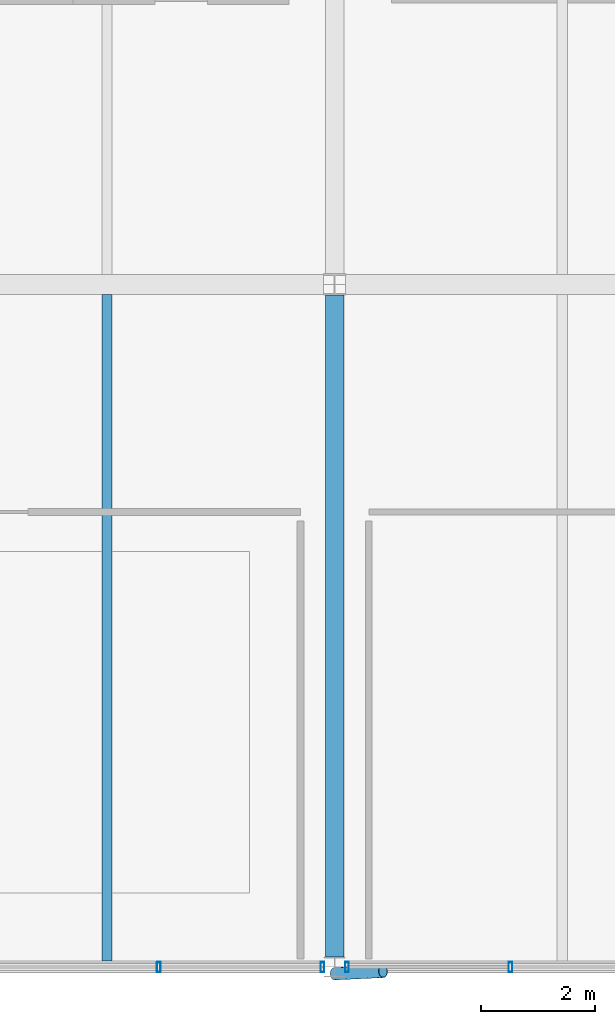
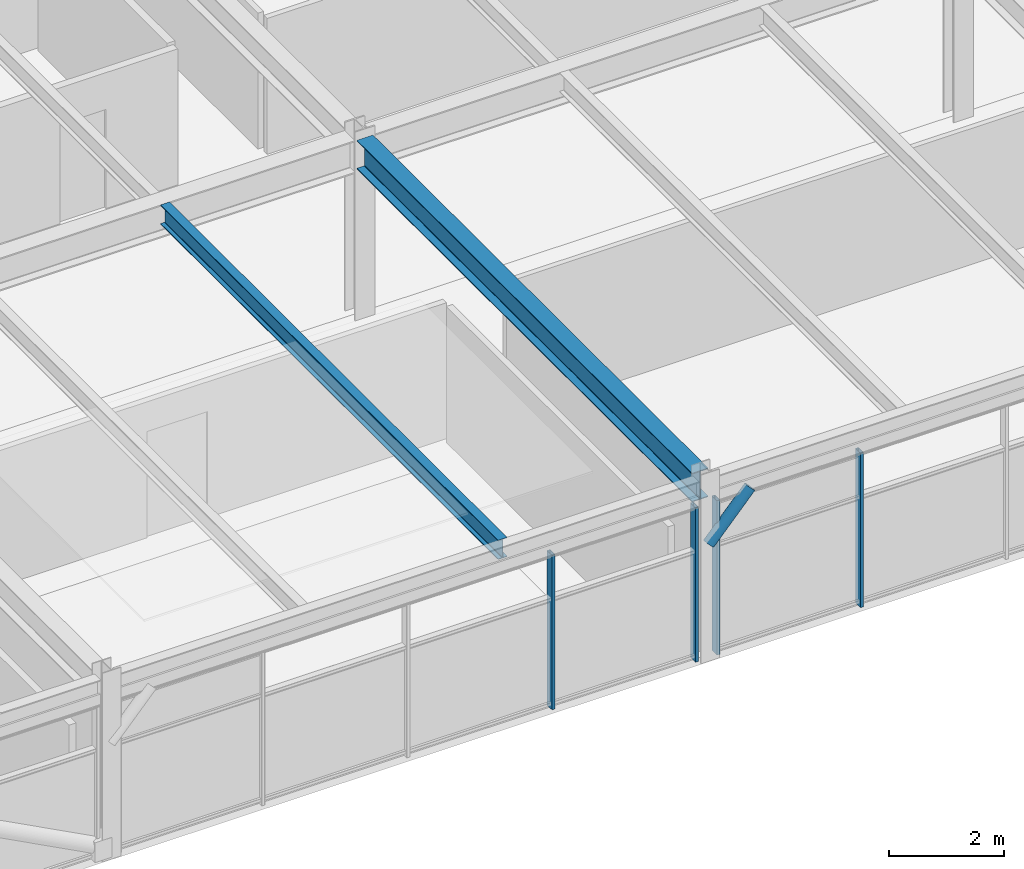
# One storey, part 13 of 40: 5 members, 2 beams, 2 elements without a shape of their own.
"""IFC4 building model written with IfcOpenShell, lengths in metres."""

from ifc_helpers import new_model, si_unit, direction, frame, origin, origin_2d, place, context, subcontext, project, spatial, hollow_rectangle, hollow_circle, i_section, extrude, material, material_profile, profile_set, type_object, element, aggregate, save


model = new_model("IFC4")

# Units and contexts
model_context = context("Model", 3, precision=1e-05, world=origin(), true_north=direction((0.0, 1.0)))
body_context = subcontext(model_context, "Body", "Model", "MODEL_VIEW")
ifc_project = project(units=[si_unit("LENGTHUNIT", "METRE"), si_unit("AREAUNIT", "SQUARE_METRE"), si_unit("VOLUMEUNIT", "CUBIC_METRE"), si_unit("PLANEANGLEUNIT", "RADIAN"), si_unit("MASSUNIT", "GRAM", prefix="KILO")], contexts=[model_context])

# Site, building, storey
site_placement = place(None, origin())
site = spatial("IfcSite", under=ifc_project, at=site_placement, CompositionType="ELEMENT")
building_placement = place(site_placement, origin())
building = spatial("IfcBuilding", under=site, at=building_placement, Name="Girod Span Mobility Hub", CompositionType="ELEMENT")
storey_placement = place(building_placement, frame((0.0, 0.0, 53.60009765625)))
storey = spatial("IfcBuildingStorey", under=building, at=storey_placement, Name="L13", CompositionType="ELEMENT", Elevation=53.60009765625)

# Beams
ifc_material_1 = material(Name="Steel A992 Grade 50", Category="steel")
ifc_material_profile_1 = material_profile(ifc_material_1, i_section(OverallWidth=0.178955078125, OverallDepth=0.409912109375, WebThickness=0.0087890625, FlangeThickness=0.014404296875, FilletRadius=0.012939453125, at=origin_2d()), Name="W16X45")
ifc_profile_set_1 = profile_set([ifc_material_profile_1], Name="Steel A992 Grade 50")
beam_type_1 = type_object("IfcBeamType", Name="BM-STL-W16X45", PredefinedType="BEAM", material=ifc_profile_set_1)
beam_1_placement = place(storey_placement, frame((68.0, 45.10302734375, 3.60986328125), z_axis=(0.0, 1.0, 0.0), x_axis=(-1.0, 0.0, 0.0)))
element("IfcBeam", 1, at=beam_1_placement, inside=storey, type_object=beam_type_1, Name="Composite Floorbeam 6/D-2 L13", PredefinedType="BEAM", context=body_context, shape_type="SweptSolid", body=[
    extrude(i_section(OverallWidth=0.178955078125, OverallDepth=0.409912109375, WebThickness=0.0087890625, FlangeThickness=0.014404296875, FilletRadius=0.012939453125, at=origin_2d()), origin(), (0.0, 0.0, 1.0), 11.722412109375),
])
ifc_material_2 = material(Name="Steel A992 Grade 50", Category="steel")
ifc_material_profile_2 = material_profile(ifc_material_2, i_section(OverallWidth=0.323974609375, OverallDepth=0.611083984375, WebThickness=0.0126953125, FlangeThickness=0.01904296875, FilletRadius=0.014892578125, at=origin_2d()), Name="W24X104")
ifc_profile_set_2 = profile_set([ifc_material_profile_2], Name="Steel A992 Grade 50")
beam_type_2 = type_object("IfcBeamType", Name="BM-STL-W24X104", PredefinedType="BEAM", material=ifc_profile_set_2)
beam_2_placement = place(storey_placement, frame((72.0, 45.175048828125, 3.509521484375), z_axis=(0.0, 1.0, 0.0), x_axis=(-1.0, 0.0, 0.0)))
element("IfcBeam", 2, at=beam_2_placement, inside=storey, type_object=beam_type_2, Name="Tie Girder 7/D-E L13", PredefinedType="BEAM", context=body_context, shape_type="SweptSolid", body=[
    extrude(i_section(OverallWidth=0.323974609375, OverallDepth=0.611083984375, WebThickness=0.0126953125, FlangeThickness=0.01904296875, FilletRadius=0.014892578125, at=origin_2d()), origin(), (0.0, 0.0, 1.0), 11.640380859375),
])

# Curtain wall, members
ifc_material_3 = material(Name="Thermally Broken Anodised Aluminium", Category="aluminium")
curtain_wall_type = type_object("IfcCurtainWallType", Name="CW-1164X327", PredefinedType="USERDEFINED", material=ifc_material_3)
curtain_wall_1_placement = place(storey_placement, origin())
curtain_wall_1 = element("IfcCurtainWall", 3, at=curtain_wall_1_placement, inside=storey, type_object=curtain_wall_type, Name="Unitised Curtain Wall CW-L13-S06 L13", ObjectType="UNITISED CURTAIN WALL", PredefinedType="USERDEFINED")
ifc_material_4 = material(Name="Thermally Broken Anodised Aluminium", Category="aluminium")
ifc_material_profile_3 = material_profile(ifc_material_4, hollow_rectangle(XDim=0.179931640625, YDim=0.06494140625, WallThickness=0.00390625, InnerFilletRadius=0.00390625, OuterFilletRadius=0.008056640625, at=origin_2d()), Name="CW-ML-65X180")
ifc_profile_set_3 = profile_set([ifc_material_profile_3], Name="Thermally Broken Anodised Aluminium")
member_type_1 = type_object("IfcMemberType", Name="CWM-ML-2", PredefinedType="MULLION", material=ifc_profile_set_3)
member_1_placement = place(storey_placement, frame((68.90869140625, 45.0, 0.0), z_axis=(0.0, 0.0, 1.0), x_axis=(0.0, 1.0, 0.0)))
member_1 = element("IfcMember", 4, at=member_1_placement, type_object=member_type_1, Name="Curtain Wall Mullion CW-L13-S06-M3", PredefinedType="MULLION", context=body_context, shape_type="SweptSolid", body=[
    extrude(hollow_rectangle(XDim=0.179931640625, YDim=0.06494140625, WallThickness=0.00390625, InnerFilletRadius=0.00390625, OuterFilletRadius=0.008056640625, at=origin_2d()), origin(), (0.0, 0.0, 1.0), 3.27099609375),
])
member_2_placement = place(storey_placement, frame((71.785400390625, 45.0, 0.0), z_axis=(0.0, 0.0, 1.0), x_axis=(0.0, 1.0, 0.0)))
member_2 = element("IfcMember", 5, at=member_2_placement, type_object=member_type_1, Name="Curtain Wall Mullion CW-L13-S06-M4", PredefinedType="MULLION", context=body_context, shape_type="SweptSolid", body=[
    extrude(hollow_rectangle(XDim=0.179931640625, YDim=0.06494140625, WallThickness=0.00390625, InnerFilletRadius=0.00390625, OuterFilletRadius=0.008056640625, at=origin_2d()), origin(), (0.0, 0.0, 1.0), 3.27099609375),
])
aggregate(curtain_wall_1, [member_1, member_2])

curtain_wall_2_placement = place(storey_placement, origin())
curtain_wall_2 = element("IfcCurtainWall", 6, at=curtain_wall_2_placement, inside=storey, type_object=curtain_wall_type, Name="Unitised Curtain Wall CW-L13-S07 L13", ObjectType="UNITISED CURTAIN WALL", PredefinedType="USERDEFINED")
member_3_placement = place(storey_placement, frame((72.214599609375, 45.0, 0.0), z_axis=(0.0, 0.0, 1.0), x_axis=(0.0, 1.0, 0.0)))
member_3 = element("IfcMember", 7, at=member_3_placement, type_object=member_type_1, Name="Curtain Wall Mullion CW-L13-S07-M0", PredefinedType="MULLION", context=body_context, shape_type="SweptSolid", body=[
    extrude(hollow_rectangle(XDim=0.179931640625, YDim=0.06494140625, WallThickness=0.00390625, InnerFilletRadius=0.00390625, OuterFilletRadius=0.008056640625, at=origin_2d()), origin(), (0.0, 0.0, 1.0), 3.27099609375),
])
member_4_placement = place(storey_placement, frame((75.09130859375, 45.0, 0.0), z_axis=(0.0, 0.0, 1.0), x_axis=(0.0, 1.0, 0.0)))
member_4 = element("IfcMember", 8, at=member_4_placement, type_object=member_type_1, Name="Curtain Wall Mullion CW-L13-S07-M1", PredefinedType="MULLION", context=body_context, shape_type="SweptSolid", body=[
    extrude(hollow_rectangle(XDim=0.179931640625, YDim=0.06494140625, WallThickness=0.00390625, InnerFilletRadius=0.00390625, OuterFilletRadius=0.008056640625, at=origin_2d()), origin(), (0.0, 0.0, 1.0), 3.27099609375),
])
aggregate(curtain_wall_2, [member_3, member_4])

# Member
ifc_material_5 = material(Name="Steel HSS A500 Grade C", Category="steel")
ifc_material_profile_4 = material_profile(ifc_material_5, hollow_circle(Radius=0.109619140625, WallThickness=0.0087890625, at=origin_2d()), Name="HSS219X9.5")
ifc_profile_set_4 = profile_set([ifc_material_profile_4], Name="Steel HSS A500 Grade C")
member_type_2 = type_object("IfcMemberType", Name="MB-ST-HSS219", PredefinedType="STRUT", material=ifc_profile_set_4)
member_5_placement = place(storey_placement, frame((72.0, 44.8798828125, 2.449951171875), z_axis=(0.692370429022, 0.032610209753, 0.720804941184), x_axis=(-0.047047213483, 0.998892666758, 0.0)))
element("IfcMember", 9, at=member_5_placement, inside=storey, type_object=member_type_2, Name="Solar Shading Knee Strut 7 L13", PredefinedType="STRUT", context=body_context, shape_type="SweptSolid", body=[
    extrude(hollow_circle(Radius=0.109619140625, WallThickness=0.0087890625, at=origin_2d()), origin(), (0.0, 0.0, 1.0), 1.227783203125),
])

save(model, "model.ifc")
